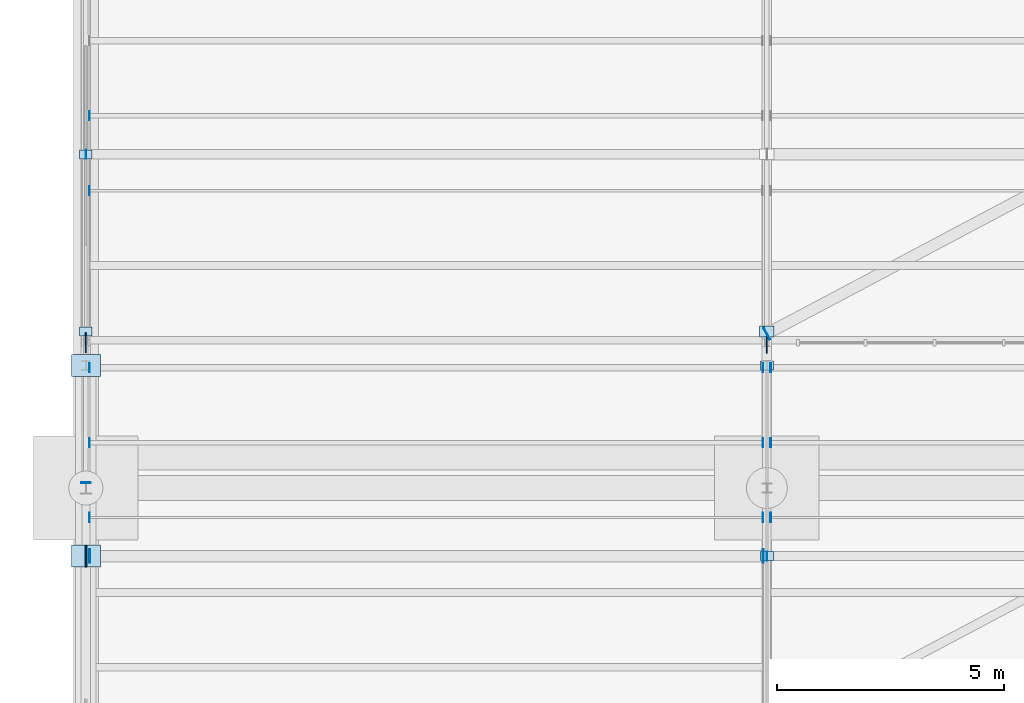
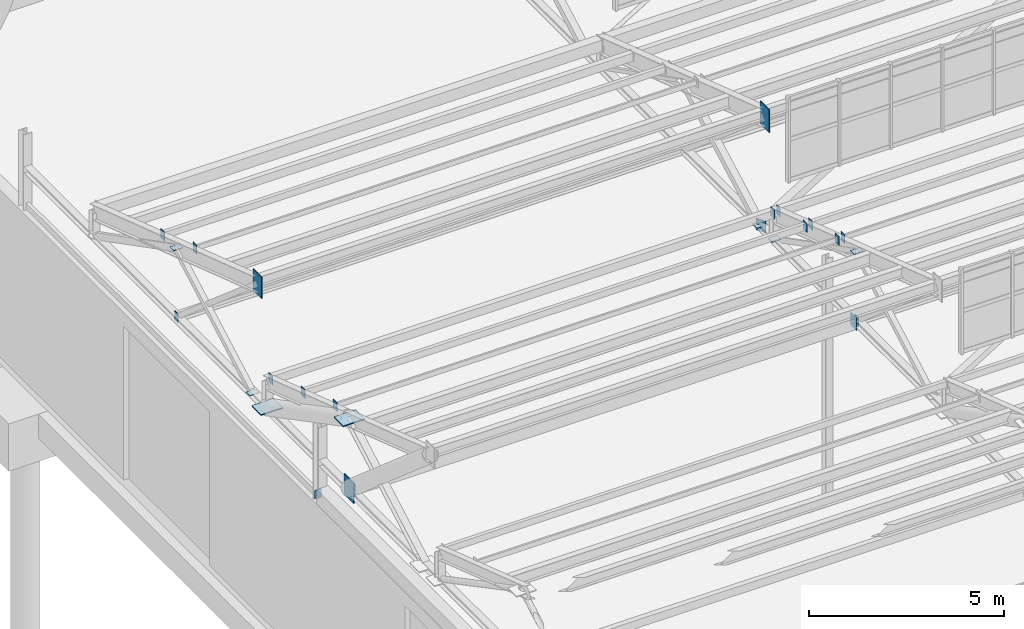
# One storey, part 205 of 285: 27 plates.
"""IFC4 building model written with IfcOpenShell, lengths in metres."""

from ifc_helpers import new_model, si_unit, direction, frame, origin, origin_2d, place, context, subcontext, project, spatial, rectangle, extrude, material, layer, layer_set, type_object, element, save


model = new_model("IFC4")

# Units and contexts
model_context = context("Model", 3, precision=1e-05, world=origin(), true_north=direction((0.0, 1.0)))
body_context = subcontext(model_context, "Body", "Model", "MODEL_VIEW")
ifc_project = project(units=[si_unit("LENGTHUNIT", "METRE"), si_unit("AREAUNIT", "SQUARE_METRE"), si_unit("VOLUMEUNIT", "CUBIC_METRE"), si_unit("PLANEANGLEUNIT", "RADIAN"), si_unit("MASSUNIT", "GRAM", prefix="KILO")], contexts=[model_context])

# Site, building, storey
site_placement = place(None, origin())
site = spatial("IfcSite", under=ifc_project, at=site_placement, CompositionType="ELEMENT")
building_placement = place(site_placement, origin())
building = spatial("IfcBuilding", under=site, at=building_placement, Name="Solanera Park Tramway Depot", CompositionType="ELEMENT")
storey_placement = place(building_placement, origin())
storey = spatial("IfcBuildingStorey", under=building, at=storey_placement, Name="L00", CompositionType="ELEMENT", Elevation=0.0)

# Plates
ifc_material_1 = material(Name="Steel AS/NZS 3679.1 Grade 350", Category="steel")
ifc_layer_1 = layer(ifc_material_1, 0.013916015625)
ifc_layer_set_1 = layer_set([ifc_layer_1], Name="Steel AS/NZS 3679.1 Grade 350")
plate_type_1 = type_object("IfcPlateType", Name="Hollow End Cap and Base Plate 280x200x14", PredefinedType="USERDEFINED", material=ifc_layer_set_1)
for number, where, z_axis, x_axis, name in (
    (1, (0.0, 114.616943359375, 5.2099609375), (0.0, 0.0, 1.0), (0.0, 1.0, 0.0), "Hollow Section Welded End Cap Plate #0068"),
    (2, (15.0, 113.0, 6.35986328125), (0.0, 0.0, 1.0), (1.0, 0.0, 0.0), "Sawtooth Truss Hollow End Cap #0634"),
):
    element("IfcPlate", number, at=place(storey_placement, frame(where, z_axis=z_axis, x_axis=x_axis)), inside=storey, type_object=plate_type_1, Name=name, ObjectType="BASE PLATE", PredefinedType="USERDEFINED", context=body_context, shape_type="SweptSolid", body=[
        extrude(rectangle(XDim=0.013916015625, YDim=0.199951171875, at=origin_2d()), origin(), (0.0, 0.0, 1.0), 0.280029296875),
    ])
for number, where, z_axis, x_axis, name in (
    (3, (15.0, 117.199951171875, 6.4931640625), (0.0, 0.0, 1.0), (1.0, 0.0, 0.0), "Sawtooth Truss Node Cap Plate #0635"),
    (4, (15.0, 113.0, 8.66064453125), (0.0, 0.0, 1.0), (1.0, 0.0, 0.0), "Sawtooth Truss Node Cap Plate #0636"),
):
    element("IfcPlate", number, at=place(storey_placement, frame(where, z_axis=z_axis, x_axis=x_axis)), inside=storey, type_object=plate_type_1, Name=name, ObjectType="BASE PLATE", PredefinedType="USERDEFINED", context=body_context, shape_type="SweptSolid", body=[
        extrude(rectangle(XDim=0.280029296875, YDim=0.199951171875, at=origin_2d()), origin(), (0.0, 0.0, 1.0), 0.013916015625),
    ])
for number, where, z_axis, x_axis, name in (
    (5, (0.077880859375, 113.85009765625, 8.41064453125), (0.0, 0.0, 1.0), (1.0, 0.0, 0.0), "Hollow Section Welded End Cap Plate #0683"),
    (6, (14.915771484375, 113.85009765625, 8.41064453125), (0.0, 0.0, 1.0), (1.0, 0.0, 0.0), "Hollow Section Welded End Cap Plate #0684"),
    (7, (15.084228515625, 113.85009765625, 8.41064453125), (0.0, 0.0, 1.0), (1.0, 0.0, 0.0), "Hollow Section Welded End Cap Plate #0685"),
    (8, (0.077880859375, 115.5, 7.8251953125), (0.0, 0.0, 1.0), (1.0, 0.0, 0.0), "Hollow Section Welded End Cap Plate #0703"),
    (9, (14.915771484375, 115.5, 7.8251953125), (0.0, 0.0, 1.0), (1.0, 0.0, 0.0), "Hollow Section Welded End Cap Plate #0704"),
    (10, (15.084228515625, 115.5, 7.8251953125), (0.0, 0.0, 1.0), (1.0, 0.0, 0.0), "Hollow Section Welded End Cap Plate #0705"),
    (11, (0.077880859375, 117.14990234375, 7.23974609375), (0.0, 0.0, 1.0), (1.0, 0.0, 0.0), "Hollow Section Welded End Cap Plate #0723"),
    (12, (14.915771484375, 117.14990234375, 7.23974609375), (0.0, 0.0, 1.0), (1.0, 0.0, 0.0), "Hollow Section Welded End Cap Plate #0724"),
    (13, (15.084228515625, 117.14990234375, 7.23974609375), (0.0, 0.0, 1.0), (1.0, 0.0, 0.0), "Hollow Section Welded End Cap Plate #0725"),
    (14, (0.0, 121.85009765625, 6.35986328125), (0.0, 0.0, 1.0), (1.0, 0.0, 0.0), "Sawtooth Truss Hollow End Cap #0758"),
):
    element("IfcPlate", number, at=place(storey_placement, frame(where, z_axis=z_axis, x_axis=x_axis)), inside=storey, type_object=plate_type_1, Name=name, ObjectType="BASE PLATE", PredefinedType="USERDEFINED", context=body_context, shape_type="SweptSolid", body=[
        extrude(rectangle(XDim=0.013916015625, YDim=0.199951171875, at=origin_2d()), origin(), (0.0, 0.0, 1.0), 0.280029296875),
    ])
for number, where, z_axis, x_axis, name in (
    (15, (0.0, 121.85009765625, 8.66064453125), (0.0, 0.0, 1.0), (1.0, 0.0, 0.0), "Sawtooth Truss Node Cap Plate #0760"),
    (16, (0.0, 117.949951171875, 6.4931640625), (0.0, 0.0, 1.0), (1.0, 0.0, 0.0), "Sawtooth Truss Node Cap Plate #0761"),
):
    element("IfcPlate", number, at=place(storey_placement, frame(where, z_axis=z_axis, x_axis=x_axis)), inside=storey, type_object=plate_type_1, Name=name, ObjectType="BASE PLATE", PredefinedType="USERDEFINED", context=body_context, shape_type="SweptSolid", body=[
        extrude(rectangle(XDim=0.280029296875, YDim=0.199951171875, at=origin_2d()), origin(), (0.0, 0.0, 1.0), 0.013916015625),
    ])
for number, where, z_axis, x_axis, name in (
    (17, (0.084228515625, 121.050048828125, 8.96240234375), (0.0, 0.0, 1.0), (1.0, 0.0, 0.0), "Hollow Section Welded End Cap Plate #0812"),
    (18, (0.084228515625, 122.699951171875, 8.376953125), (0.0, 0.0, 1.0), (1.0, 0.0, 0.0), "Hollow Section Welded End Cap Plate #0832"),
):
    element("IfcPlate", number, at=place(storey_placement, frame(where, z_axis=z_axis, x_axis=x_axis)), inside=storey, type_object=plate_type_1, Name=name, ObjectType="BASE PLATE", PredefinedType="USERDEFINED", context=body_context, shape_type="SweptSolid", body=[
        extrude(rectangle(XDim=0.013916015625, YDim=0.199951171875, at=origin_2d()), origin(), (0.0, 0.0, 1.0), 0.280029296875),
    ])
ifc_material_2 = material(Name="Steel AS/NZS 3679.1 Grade 350", Category="steel")
ifc_layer_2 = layer(ifc_material_2, 0.01611328125)
ifc_layer_set_2 = layer_set([ifc_layer_2], Name="Steel AS/NZS 3679.1 Grade 350")
plate_type_2 = type_object("IfcPlateType", Name="Hollow End Cap and Base Plate 320x240x16", PredefinedType="USERDEFINED", material=ifc_layer_set_2)
plate_1_placement = place(storey_placement, frame((15.0, 117.949951171875, 6.491943359375), z_axis=(0.0, 0.0, 1.0), x_axis=(1.0, 0.0, 0.0)))
element("IfcPlate", 19, at=plate_1_placement, inside=storey, type_object=plate_type_2, Name="Sawtooth Truss Node Cap Plate #0766", ObjectType="BASE PLATE", PredefinedType="USERDEFINED", context=body_context, shape_type="SweptSolid", body=[
    extrude(rectangle(XDim=0.320068359375, YDim=0.239990234375, at=origin_2d()), origin(), (0.0, 0.0, 1.0), 0.01611328125),
])
ifc_material_3 = material(Name="Steel AS/NZS 3679.1 Grade 350", Category="steel")
ifc_layer_3 = layer(ifc_material_3, 0.01806640625)
ifc_layer_set_3 = layer_set([ifc_layer_3], Name="Steel AS/NZS 3679.1 Grade 350")
plate_type_3 = type_object("IfcPlateType", Name="Hollow End Cap and Base Plate 360x280x18", PredefinedType="USERDEFINED", material=ifc_layer_set_3)
plate_2_placement = place(storey_placement, frame((14.99755859375, 117.897705078125, 6.31982421875), z_axis=(0.0, 0.0, 1.0), x_axis=(0.883520501477, 0.468392488698, 0.0)))
element("IfcPlate", 20, at=plate_2_placement, inside=storey, type_object=plate_type_3, Name="Hollow Section Welded End Cap Plate #0892", ObjectType="BASE PLATE", PredefinedType="USERDEFINED", context=body_context, shape_type="SweptSolid", body=[
    extrude(rectangle(XDim=0.01806640625, YDim=0.280029296875, at=origin_2d()), origin(), (0.0, 0.0, 1.0), 0.360107421875),
])
ifc_material_4 = material(Name="Steel AS/NZS 3679.1 Grade 350", Category="steel")
ifc_layer_4 = layer(ifc_material_4, 0.02001953125)
ifc_layer_set_4 = layer_set([ifc_layer_4], Name="Steel AS/NZS 3679.1 Grade 350")
plate_type_4 = type_object("IfcPlateType", Name="Hollow End Cap and Base Plate 400x300x20", PredefinedType="USERDEFINED", material=ifc_layer_set_4)
for number, where, z_axis, x_axis, name in (
    (21, (0.08203125, 113.0, 6.300048828125), (0.0, 0.0, 1.0), (1.0, 0.0, 0.0), "Hollow Section Welded End Cap Plate #0743"),
    (22, (14.91796875, 113.0, 6.300048828125), (0.0, 0.0, 1.0), (1.0, 0.0, 0.0), "Hollow Section Welded End Cap Plate #0744"),
):
    element("IfcPlate", number, at=place(storey_placement, frame(where, z_axis=z_axis, x_axis=x_axis)), inside=storey, type_object=plate_type_4, Name=name, ObjectType="BASE PLATE", PredefinedType="USERDEFINED", context=body_context, shape_type="SweptSolid", body=[
        extrude(rectangle(XDim=0.02001953125, YDim=0.300048828125, at=origin_2d()), origin(), (0.0, 0.0, 1.0), 0.39990234375),
    ])
ifc_material_5 = material(Name="Steel AS/NZS 3679.1 Grade 350", Category="steel")
ifc_layer_5 = layer(ifc_material_5, 0.031982421875)
ifc_layer_set_5 = layer_set([ifc_layer_5], Name="Steel AS/NZS 3679.1 Grade 350")
plate_type_5 = type_object("IfcPlateType", Name="Hollow End Cap and Base Plate 640x480x32", PredefinedType="USERDEFINED", material=ifc_layer_set_5)
plate_3_placement = place(storey_placement, frame((0.0, 113.0, 6.18017578125), z_axis=(0.0, 0.0, 1.0), x_axis=(1.0, 0.0, 0.0)))
element("IfcPlate", 23, at=plate_3_placement, inside=storey, type_object=plate_type_5, Name="Sawtooth Truss Hollow End Cap #0629", ObjectType="BASE PLATE", PredefinedType="USERDEFINED", context=body_context, shape_type="SweptSolid", body=[
    extrude(rectangle(XDim=0.031982421875, YDim=0.47998046875, at=origin_2d()), origin(), (0.0, 0.0, 1.0), 0.639892578125),
])
for number, where, z_axis, x_axis, name in (
    (24, (0.0, 117.199951171875, 6.48388671875), (0.0, 0.0, 1.0), (1.0, 0.0, 0.0), "Sawtooth Truss Node Cap Plate #0630"),
    (25, (0.0, 113.0, 8.67724609375), (0.0, 0.0, 1.0), (1.0, 0.0, 0.0), "Sawtooth Truss Node Cap Plate #0631"),
):
    element("IfcPlate", number, at=place(storey_placement, frame(where, z_axis=z_axis, x_axis=x_axis)), inside=storey, type_object=plate_type_5, Name=name, ObjectType="BASE PLATE", PredefinedType="USERDEFINED", context=body_context, shape_type="SweptSolid", body=[
        extrude(rectangle(XDim=0.639892578125, YDim=0.47998046875, at=origin_2d()), origin(), (0.0, 0.0, 1.0), 0.031982421875),
    ])
ifc_material_6 = material(Name="Steel AS/NZS 3679.1 Grade 350", Category="steel")
ifc_layer_6 = layer(ifc_material_6, 0.02392578125)
ifc_layer_set_6 = layer_set([ifc_layer_6], Name="Steel AS/NZS 3679.1 Grade 350")
plate_type_6 = type_object("IfcPlateType", Name="Truss Node Gusset Stiffener 680x440x24", PredefinedType="SHEET", material=ifc_layer_set_6)
plate_4_placement = place(storey_placement, frame((0.0, 117.699951171875, 9.71630859375), z_axis=(0.0, 0.0, 1.0), x_axis=(1.0, 0.0, 0.0)))
element("IfcPlate", 26, at=plate_4_placement, inside=storey, type_object=plate_type_6, Name="Sawtooth Truss Apex Gusset Plate #0757", PredefinedType="SHEET", context=body_context, shape_type="SweptSolid", body=[
    extrude(rectangle(XDim=0.02392578125, YDim=0.43994140625, at=origin_2d()), origin(), (0.0, 0.0, 1.0), 0.679931640625),
])
ifc_material_7 = material(Name="Steel AS/NZS 3679.1 Grade 350", Category="steel")
ifc_layer_7 = layer(ifc_material_7, 0.02490234375)
ifc_layer_set_7 = layer_set([ifc_layer_7], Name="Steel AS/NZS 3679.1 Grade 350")
plate_type_7 = type_object("IfcPlateType", Name="Truss Node Gusset Stiffener 720x460x25", PredefinedType="SHEET", material=ifc_layer_set_7)
plate_5_placement = place(storey_placement, frame((15.0, 117.699951171875, 9.658203125), z_axis=(0.0, 0.0, 1.0), x_axis=(1.0, 0.0, 0.0)))
element("IfcPlate", 27, at=plate_5_placement, inside=storey, type_object=plate_type_7, Name="Sawtooth Truss Apex Gusset Plate #0762", PredefinedType="SHEET", context=body_context, shape_type="SweptSolid", body=[
    extrude(rectangle(XDim=0.02490234375, YDim=0.4599609375, at=origin_2d()), origin(), (0.0, 0.0, 1.0), 0.719970703125),
])

save(model, "model.ifc")
